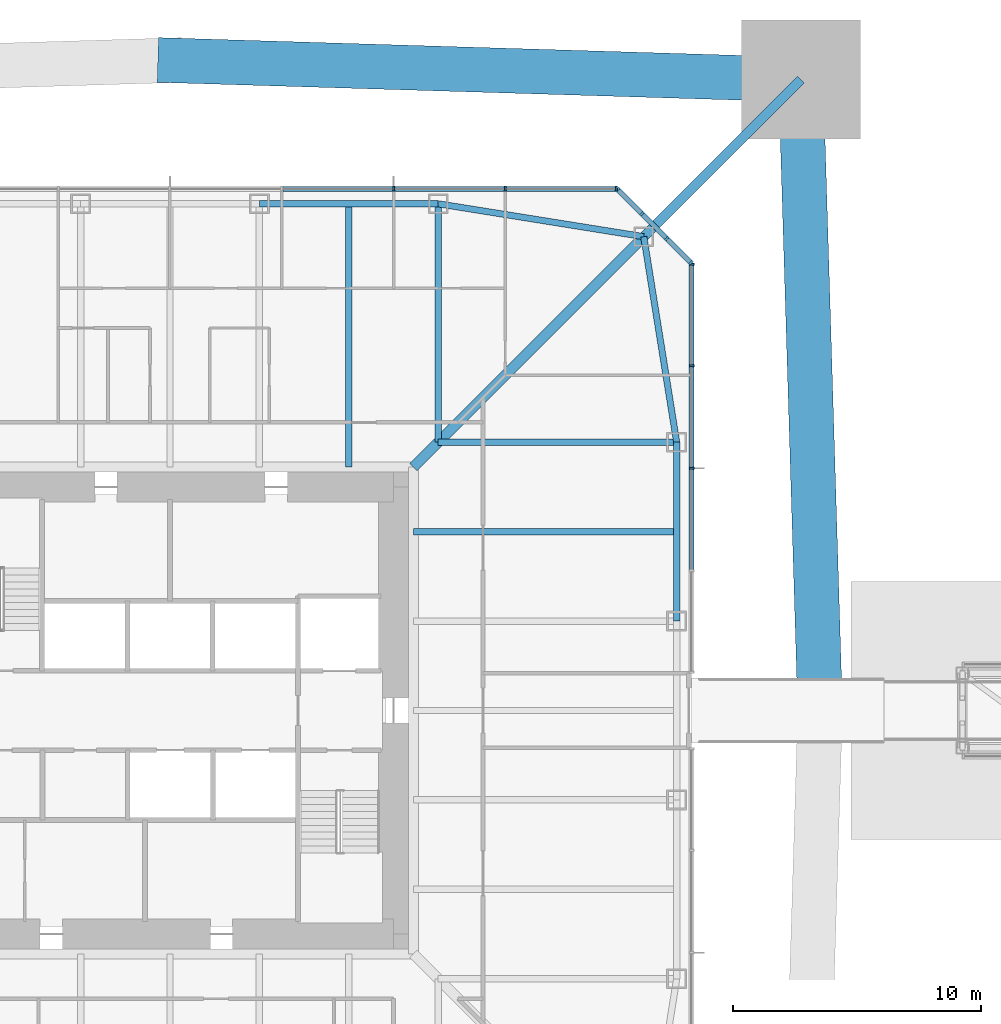
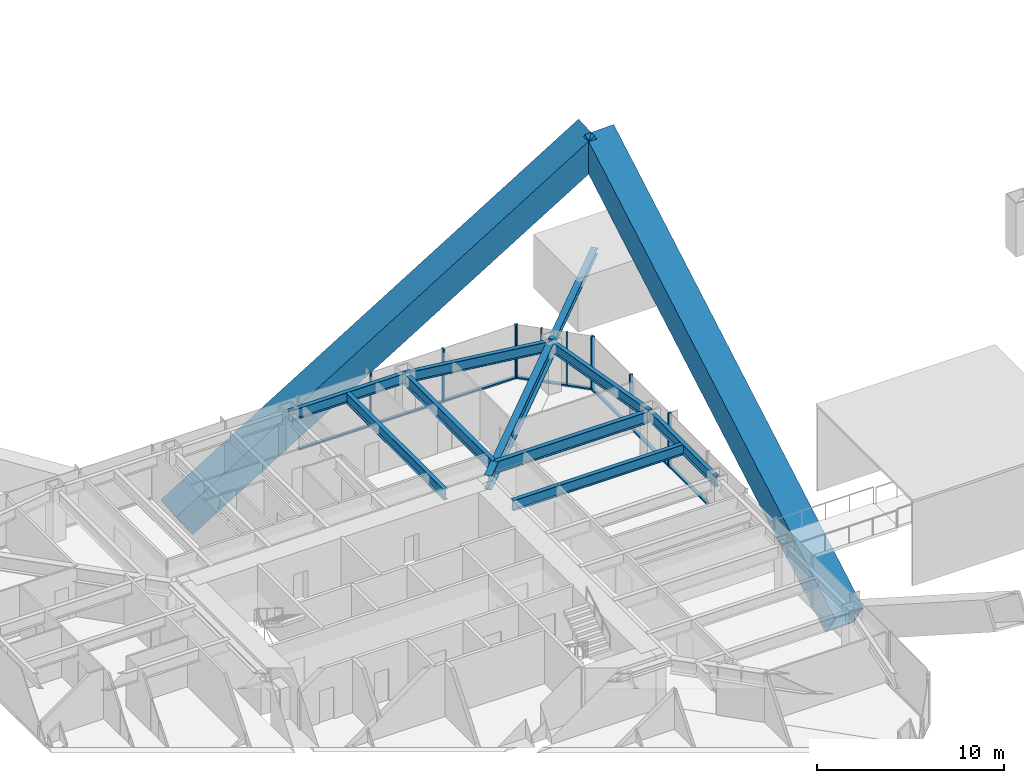
# One storey, part 9 of 28: 22 members, 9 beams, 3 elements without a shape of their own.
"""IFC4 building model written with IfcOpenShell, lengths in metres."""

from ifc_helpers import new_model, si_unit, direction, frame, origin, origin_2d, place, context, subcontext, project, spatial, rectangle, hollow_rectangle, i_section, extrude, material, material_profile, profile_set, type_object, element, aggregate, save


model = new_model("IFC4")

# Units and contexts
model_context = context("Model", 3, precision=1e-05, world=origin(), true_north=direction((0.0, 1.0)))
body_context = subcontext(model_context, "Body", "Model", "MODEL_VIEW")
ifc_project = project(units=[si_unit("LENGTHUNIT", "METRE"), si_unit("AREAUNIT", "SQUARE_METRE"), si_unit("VOLUMEUNIT", "CUBIC_METRE"), si_unit("PLANEANGLEUNIT", "RADIAN"), si_unit("MASSUNIT", "GRAM", prefix="KILO")], contexts=[model_context])

# Site, building, storey
site_placement = place(None, origin())
site = spatial("IfcSite", under=ifc_project, at=site_placement, CompositionType="ELEMENT")
building_placement = place(site_placement, origin())
building = spatial("IfcBuilding", under=site, at=building_placement, Name="Iwan Alto Co-Living Towers", CompositionType="ELEMENT")
storey_placement = place(building_placement, frame((0.0, 0.0, 98.0)))
storey = spatial("IfcBuildingStorey", under=building, at=storey_placement, Name="L26", CompositionType="ELEMENT", Elevation=98.0)

# Curtain wall, members
ifc_material_1 = material(Name="Bronze aluminium unitised frame", Category="aluminium")
curtain_wall_type_1 = type_object("IfcCurtainWallType", Name="CURTAIN WALL CW-A", PredefinedType="NOTDEFINED", material=ifc_material_1)
curtain_wall_1_placement = place(storey_placement, origin())
curtain_wall_1 = element("IfcCurtainWall", 1, at=curtain_wall_1_placement, inside=storey, type_object=curtain_wall_type_1, Name="T1 curtain wall E L26 part 2", PredefinedType="NOTDEFINED")
ifc_material_2 = material(Name="Aluminium 6063-T6 bronze anodised", Category="aluminium")
ifc_material_profile_1 = material_profile(ifc_material_2, rectangle(XDim=0.199951171875, YDim=0.080078125, at=origin_2d()), Name="AL 80X200")
ifc_profile_set_1 = profile_set([ifc_material_profile_1], Name="Aluminium 6063-T6 bronze anodised")
member_type_1 = type_object("IfcMemberType", Name="CW-A MULLION 80X200", PredefinedType="MULLION", material=ifc_profile_set_1)
member_1_placement = place(storey_placement, frame((21.0, 9.75, 0.0), z_axis=(0.0, 0.0, 1.0), x_axis=(-1.0, 0.0, 0.0)))
member_1 = element("IfcMember", 2, at=member_1_placement, type_object=member_type_1, Name="CW-A mullion 3", PredefinedType="MULLION", context=body_context, shape_type="SweptSolid", body=[
    extrude(rectangle(XDim=0.199951171875, YDim=0.080078125, at=origin_2d()), origin(), (0.0, 0.0, 1.0), 3.5),
])
member_2_placement = place(storey_placement, frame((21.0, 13.875, 0.0), z_axis=(0.0, 0.0, 1.0), x_axis=(-1.0, 0.0, 0.0)))
member_2 = element("IfcMember", 3, at=member_2_placement, type_object=member_type_1, Name="CW-A mullion 4", PredefinedType="MULLION", context=body_context, shape_type="SweptSolid", body=[
    extrude(rectangle(XDim=0.199951171875, YDim=0.080078125, at=origin_2d()), origin(), (0.0, 0.0, 1.0), 3.5),
])
member_3_placement = place(storey_placement, frame((21.0, 17.9599609375, 0.0), z_axis=(0.0, 0.0, 1.0), x_axis=(-1.0, 0.0, 0.0)))
member_3 = element("IfcMember", 4, at=member_3_placement, type_object=member_type_1, Name="CW-A mullion 5", PredefinedType="MULLION", context=body_context, shape_type="SweptSolid", body=[
    extrude(rectangle(XDim=0.199951171875, YDim=0.080078125, at=origin_2d()), origin(), (0.0, 0.0, 1.0), 3.5),
])

curtain_wall_2_placement = place(storey_placement, origin())
curtain_wall_2 = element("IfcCurtainWall", 5, at=curtain_wall_2_placement, inside=storey, type_object=curtain_wall_type_1, Name="T1 curtain wall N L26", PredefinedType="NOTDEFINED")
member_4_placement = place(storey_placement, frame((17.9599609375, 21.0, 0.0), z_axis=(0.0, 0.0, 1.0), x_axis=(0.0, -1.0, 0.0)))
member_4 = element("IfcMember", 6, at=member_4_placement, type_object=member_type_1, Name="CW-A mullion 1", PredefinedType="MULLION", context=body_context, shape_type="SweptSolid", body=[
    extrude(rectangle(XDim=0.199951171875, YDim=0.080078125, at=origin_2d()), origin(), (0.0, 0.0, 1.0), 3.5),
])
member_5_placement = place(storey_placement, frame((13.5, 21.0, 0.0), z_axis=(0.0, 0.0, 1.0), x_axis=(0.0, -1.0, 0.0)))
member_5 = element("IfcMember", 7, at=member_5_placement, type_object=member_type_1, Name="CW-A mullion 2", PredefinedType="MULLION", context=body_context, shape_type="SweptSolid", body=[
    extrude(rectangle(XDim=0.199951171875, YDim=0.080078125, at=origin_2d()), origin(), (0.0, 0.0, 1.0), 3.5),
])
member_6_placement = place(storey_placement, frame((9.0, 21.0, 0.0), z_axis=(0.0, 0.0, 1.0), x_axis=(0.0, -1.0, 0.0)))
member_6 = element("IfcMember", 8, at=member_6_placement, type_object=member_type_1, Name="CW-A mullion 3", PredefinedType="MULLION", context=body_context, shape_type="SweptSolid", body=[
    extrude(rectangle(XDim=0.199951171875, YDim=0.080078125, at=origin_2d()), origin(), (0.0, 0.0, 1.0), 3.5),
])

# Member
ifc_material_3 = material(Name="Aluminium 6063-T6 bronze anodised", Category="aluminium")
ifc_material_profile_2 = material_profile(ifc_material_3, rectangle(XDim=0.199951171875, YDim=0.10009765625, at=origin_2d()), Name="AL 200X100")
ifc_profile_set_2 = profile_set([ifc_material_profile_2], Name="Aluminium 6063-T6 bronze anodised")
member_type_2 = type_object("IfcMemberType", Name="CW-A TRANSOM 200X100", PredefinedType="USERDEFINED", material=ifc_profile_set_2)
member_7_placement = place(storey_placement, frame((21.0, 5.6650390625, 0.050048828125), z_axis=(0.0, 1.0, 0.0), x_axis=(-1.0, 0.0, 0.0)))
member_7 = element("IfcMember", 9, at=member_7_placement, type_object=member_type_2, Name="CW-A transom 2.1", ObjectType="TRANSOM", PredefinedType="USERDEFINED", context=body_context, shape_type="SweptSolid", body=[
    extrude(rectangle(XDim=0.199951171875, YDim=0.10009765625, at=origin_2d()), origin(), (0.0, 0.0, 1.0), 4.044921875),
])

member_8_placement = place(storey_placement, frame((21.0, 9.7900390625, 0.050048828125), z_axis=(0.0, 1.0, 0.0), x_axis=(-1.0, 0.0, 0.0)))
member_8 = element("IfcMember", 10, at=member_8_placement, type_object=member_type_2, Name="CW-A transom 3.1", ObjectType="TRANSOM", PredefinedType="USERDEFINED", context=body_context, shape_type="SweptSolid", body=[
    extrude(rectangle(XDim=0.199951171875, YDim=0.10009765625, at=origin_2d()), origin(), (0.0, 0.0, 1.0), 4.044921875),
])

member_9_placement = place(storey_placement, frame((21.0, 13.9150390625, 0.050048828125), z_axis=(0.0, 1.0, 0.0), x_axis=(-1.0, 0.0, 0.0)))
member_9 = element("IfcMember", 11, at=member_9_placement, type_object=member_type_2, Name="CW-A transom 4.1", ObjectType="TRANSOM", PredefinedType="USERDEFINED", context=body_context, shape_type="SweptSolid", body=[
    extrude(rectangle(XDim=0.199951171875, YDim=0.10009765625, at=origin_2d()), origin(), (0.0, 0.0, 1.0), 4.0048828125),
])

aggregate(curtain_wall_1, [member_1, member_2, member_3, member_7, member_8, member_9])

member_10_placement = place(storey_placement, frame((17.919921875, 21.0, 0.050048828125), z_axis=(-1.0, 0.0, 0.0), x_axis=(0.0, -1.0, 0.0)))
member_10 = element("IfcMember", 12, at=member_10_placement, type_object=member_type_2, Name="CW-A transom 1.1", ObjectType="TRANSOM", PredefinedType="USERDEFINED", context=body_context, shape_type="SweptSolid", body=[
    extrude(rectangle(XDim=0.199951171875, YDim=0.10009765625, at=origin_2d()), origin(), (0.0, 0.0, 1.0), 4.3798828125),
])

member_11_placement = place(storey_placement, frame((13.4599609375, 21.0, 0.050048828125), z_axis=(-1.0, 0.0, 0.0), x_axis=(0.0, -1.0, 0.0)))
member_11 = element("IfcMember", 13, at=member_11_placement, type_object=member_type_2, Name="CW-A transom 2.1", ObjectType="TRANSOM", PredefinedType="USERDEFINED", context=body_context, shape_type="SweptSolid", body=[
    extrude(rectangle(XDim=0.199951171875, YDim=0.10009765625, at=origin_2d()), origin(), (0.0, 0.0, 1.0), 4.419921875),
])

member_12_placement = place(storey_placement, frame((8.9599609375, 21.0, 0.050048828125), z_axis=(-1.0, 0.0, 0.0), x_axis=(0.0, -1.0, 0.0)))
member_12 = element("IfcMember", 14, at=member_12_placement, type_object=member_type_2, Name="CW-A transom 3.1", ObjectType="TRANSOM", PredefinedType="USERDEFINED", context=body_context, shape_type="SweptSolid", body=[
    extrude(rectangle(XDim=0.199951171875, YDim=0.10009765625, at=origin_2d()), origin(), (0.0, 0.0, 1.0), 4.419921875),
])

aggregate(curtain_wall_2, [member_4, member_5, member_6, member_10, member_11, member_12])

# Curtain wall, members
ifc_material_4 = material(Name="Bronze aluminium unitised frame", Category="aluminium")
curtain_wall_type_2 = type_object("IfcCurtainWallType", Name="CURTAIN WALL CW-B", PredefinedType="NOTDEFINED", material=ifc_material_4)
curtain_wall_3_placement = place(storey_placement, origin())
curtain_wall_3 = element("IfcCurtainWall", 15, at=curtain_wall_3_placement, inside=storey, type_object=curtain_wall_type_2, Name="T1 chamfer curtain wall NE L26", PredefinedType="NOTDEFINED")
ifc_material_5 = material(Name="Aluminium 6063-T6 bronze anodised", Category="aluminium")
ifc_material_profile_3 = material_profile(ifc_material_5, rectangle(XDim=0.199951171875, YDim=0.080078125, at=origin_2d()), Name="AL 80X200")
ifc_profile_set_3 = profile_set([ifc_material_profile_3], Name="Aluminium 6063-T6 bronze anodised")
member_type_3 = type_object("IfcMemberType", Name="CW-B MULLION 80X200", PredefinedType="MULLION", material=ifc_profile_set_3)
member_13_placement = place(storey_placement, frame((20.9716796875, 18.0283203125, 0.0), z_axis=(0.0, 0.0, 1.0), x_axis=(-0.707106781187, -0.707106781187, 0.0)))
member_13 = element("IfcMember", 16, at=member_13_placement, type_object=member_type_3, Name="CW-B mullion 1", PredefinedType="MULLION", context=body_context, shape_type="SweptSolid", body=[
    extrude(rectangle(XDim=0.199951171875, YDim=0.080078125, at=origin_2d()), origin(), (0.0, 0.0, 1.0), 3.5),
])
member_14_placement = place(storey_placement, frame((20.0, 19.0, 0.0), z_axis=(0.0, 0.0, 1.0), x_axis=(-0.707106781187, -0.707106781187, 0.0)))
member_14 = element("IfcMember", 17, at=member_14_placement, type_object=member_type_3, Name="CW-B mullion 2", PredefinedType="MULLION", context=body_context, shape_type="SweptSolid", body=[
    extrude(rectangle(XDim=0.199951171875, YDim=0.080078125, at=origin_2d()), origin(), (0.0, 0.0, 1.0), 3.5),
])
member_15_placement = place(storey_placement, frame((19.0, 20.0, 0.0), z_axis=(0.0, 0.0, 1.0), x_axis=(-0.707106781187, -0.707106781187, 0.0)))
member_15 = element("IfcMember", 18, at=member_15_placement, type_object=member_type_3, Name="CW-B mullion 3", PredefinedType="MULLION", context=body_context, shape_type="SweptSolid", body=[
    extrude(rectangle(XDim=0.199951171875, YDim=0.080078125, at=origin_2d()), origin(), (0.0, 0.0, 1.0), 3.5),
])
member_16_placement = place(storey_placement, frame((18.0283203125, 20.9716796875, 0.0), z_axis=(0.0, 0.0, 1.0), x_axis=(-0.707106781187, -0.707106781187, 0.0)))
member_16 = element("IfcMember", 19, at=member_16_placement, type_object=member_type_3, Name="CW-B mullion 4", PredefinedType="MULLION", context=body_context, shape_type="SweptSolid", body=[
    extrude(rectangle(XDim=0.199951171875, YDim=0.080078125, at=origin_2d()), origin(), (0.0, 0.0, 1.0), 3.5),
])
ifc_material_6 = material(Name="Aluminium 6063-T6 bronze anodised", Category="aluminium")
ifc_material_profile_4 = material_profile(ifc_material_6, rectangle(XDim=0.199951171875, YDim=0.10009765625, at=origin_2d()), Name="AL 200X100")
ifc_profile_set_4 = profile_set([ifc_material_profile_4], Name="Aluminium 6063-T6 bronze anodised")
member_type_4 = type_object("IfcMemberType", Name="CW-B TRANSOM 200X100", PredefinedType="USERDEFINED", material=ifc_profile_set_4)
member_17_placement = place(storey_placement, frame((20.943359375, 18.056640625, 0.050048828125), z_axis=(-0.707106781187, 0.707106781187, 0.0), x_axis=(-0.707106781187, -0.707106781187, 0.0)))
member_17 = element("IfcMember", 20, at=member_17_placement, type_object=member_type_4, Name="CW-B transom 1.1", ObjectType="TRANSOM", PredefinedType="USERDEFINED", context=body_context, shape_type="SweptSolid", body=[
    extrude(rectangle(XDim=0.199951171875, YDim=0.10009765625, at=origin_2d()), origin(), (0.0, 0.0, 1.0), 1.2939453125),
])
member_18_placement = place(storey_placement, frame((19.9716796875, 19.0283203125, 0.050048828125), z_axis=(-0.707106781187, 0.707106781187, 0.0), x_axis=(-0.707106781187, -0.707106781187, 0.0)))
member_18 = element("IfcMember", 21, at=member_18_placement, type_object=member_type_4, Name="CW-B transom 2.1", ObjectType="TRANSOM", PredefinedType="USERDEFINED", context=body_context, shape_type="SweptSolid", body=[
    extrude(rectangle(XDim=0.199951171875, YDim=0.10009765625, at=origin_2d()), origin(), (0.0, 0.0, 1.0), 1.334228515625),
])
member_19_placement = place(storey_placement, frame((18.9716796875, 20.0283203125, 0.050048828125), z_axis=(-0.707106781187, 0.707106781187, 0.0), x_axis=(-0.707106781187, -0.707106781187, 0.0)))
member_19 = element("IfcMember", 22, at=member_19_placement, type_object=member_type_4, Name="CW-B transom 3.1", ObjectType="TRANSOM", PredefinedType="USERDEFINED", context=body_context, shape_type="SweptSolid", body=[
    extrude(rectangle(XDim=0.199951171875, YDim=0.10009765625, at=origin_2d()), origin(), (0.0, 0.0, 1.0), 1.2939453125),
])
aggregate(curtain_wall_3, [member_13, member_14, member_15, member_16, member_17, member_18, member_19])

# Beams
ifc_material_7 = material(Name="Steel ASTM A992 Gr 50", Category="steel")
ifc_material_profile_5 = material_profile(ifc_material_7, i_section(OverallWidth=0.419189453125, OverallDepth=0.927001953125, WebThickness=0.019287109375, FlangeThickness=0.031982421875, at=origin_2d()), Name="W36X231")
ifc_profile_set_5 = profile_set([ifc_material_profile_5], Name="Steel ASTM A992 Gr 50")
beam_type_1 = type_object("IfcBeamType", Name="T1 CORNER GIRDER W36X231", PredefinedType="BEAM", material=ifc_profile_set_5)
beam_1_placement = place(storey_placement, frame((19.07568359375, 19.07568359375, 2.806396484375), z_axis=(-0.707106781187, -0.707106781187, 0.0), x_axis=(0.707106781187, -0.707106781187, 0.0)))
element("IfcBeam", 23, at=beam_1_placement, inside=storey, type_object=beam_type_1, Name="T1 corner girder CNE L27", PredefinedType="BEAM", context=body_context, shape_type="SweptSolid", body=[
    extrude(i_section(OverallWidth=0.419189453125, OverallDepth=0.927001953125, WebThickness=0.019287109375, FlangeThickness=0.031982421875, at=origin_2d()), origin(), (0.0, 0.0, 1.0), 13.11865234375),
])
ifc_material_8 = material(Name="Steel ASTM A992 Gr 50", Category="steel")
ifc_material_profile_6 = material_profile(ifc_material_8, i_section(OverallWidth=0.25390625, OverallDepth=0.683349609375, WebThickness=0.012451171875, FlangeThickness=0.018798828125, at=origin_2d()), Name="W27X94")
ifc_profile_set_6 = profile_set([ifc_material_profile_6], Name="Steel ASTM A992 Gr 50")
beam_type_2 = type_object("IfcBeamType", Name="T1 EDGE BEAM W27X94", PredefinedType="BEAM", material=ifc_profile_set_6)
beam_2_placement = place(storey_placement, frame((20.39990234375, 3.60009765625, 2.928466796875), z_axis=(0.0, 1.0, 0.0), x_axis=(-1.0, 0.0, 0.0)))
element("IfcBeam", 24, at=beam_2_placement, inside=storey, type_object=beam_type_2, Name="T1 edge beam E3 L27", PredefinedType="BEAM", context=body_context, shape_type="SweptSolid", body=[
    extrude(i_section(OverallWidth=0.25390625, OverallDepth=0.683349609375, WebThickness=0.012451171875, FlangeThickness=0.018798828125, at=origin_2d()), origin(), (0.0, 0.0, 1.0), 7.199951171875),
])
for number, where, z_axis, x_axis, name in (
    (25, (20.39990234375, 10.800048828125, 2.928466796875), (-0.158004134737, 0.987438450439, 0.0), (-0.987438450439, -0.158004134737, 0.0), "T1 edge beam E4 L27"),
    (26, (19.07568359375, 19.07568359375, 2.928466796875), (-0.987438450439, 0.158004134737, 0.0), (-0.158004134737, -0.987438450439, 0.0), "T1 edge beam CNE L27"),
):
    element("IfcBeam", number, at=place(storey_placement, frame(where, z_axis=z_axis, x_axis=x_axis)), inside=storey, type_object=beam_type_2, Name=name, PredefinedType="BEAM", context=body_context, shape_type="SweptSolid", body=[
        extrude(i_section(OverallWidth=0.25390625, OverallDepth=0.683349609375, WebThickness=0.012451171875, FlangeThickness=0.018798828125, at=origin_2d()), origin(), (0.0, 0.0, 1.0), 8.380859375),
    ])
beam_3_placement = place(storey_placement, frame((10.800048828125, 20.39990234375, 2.928466796875), z_axis=(-1.0, 0.0, 0.0), x_axis=(0.0, -1.0, 0.0)))
element("IfcBeam", 27, at=beam_3_placement, inside=storey, type_object=beam_type_2, Name="T1 edge beam N1 L27", PredefinedType="BEAM", context=body_context, shape_type="SweptSolid", body=[
    extrude(i_section(OverallWidth=0.25390625, OverallDepth=0.683349609375, WebThickness=0.012451171875, FlangeThickness=0.018798828125, at=origin_2d()), origin(), (0.0, 0.0, 1.0), 7.199951171875),
])

# Members
ifc_material_9 = material(Name="Steel ASTM A572 Gr 42", Category="steel")
ifc_material_profile_7 = material_profile(ifc_material_9, hollow_rectangle(XDim=1.800048828125, YDim=1.800048828125, WallThickness=0.1298828125, at=origin_2d()), Name="BOX 1800X1800X130")
ifc_profile_set_7 = profile_set([ifc_material_profile_7], Name="Steel ASTM A572 Gr 42")
member_type_5 = type_object("IfcMemberType", Name="T1 MEGA BRACE BOX 1800X1800X130", PredefinedType="BRACE", material=ifc_profile_set_7)
for number, where, z_axis, x_axis, name in (
    (28, (26.175537109375, 0.0, -5.98095703125), (-0.025608430733, 0.838605576524, 0.544136835087), (-0.999534074116, -0.030522691262, 0.0), "T1 mega brace Z2A E 1 upper"),
    (29, (0.0, 26.175537109375, -5.98095703125), (0.838605576524, -0.025608430733, 0.544136835087), (0.030522691262, 0.999534074116, 0.0), "T1 mega brace Z2A N 2 upper"),
):
    element("IfcMember", number, at=place(storey_placement, frame(where, z_axis=z_axis, x_axis=x_axis)), inside=storey, type_object=member_type_5, Name=name, PredefinedType="BRACE", context=body_context, shape_type="SweptSolid", body=[
        extrude(hollow_rectangle(XDim=1.800048828125, YDim=1.800048828125, WallThickness=0.1298828125, at=origin_2d()), origin(), (0.0, 0.0, 1.0), 30.288330078125),
    ])
ifc_material_10 = material(Name="Steel ASTM A992 Gr 50", Category="steel")
ifc_material_profile_8 = material_profile(ifc_material_10, i_section(OverallWidth=0.393798828125, OverallDepth=0.3759765625, WebThickness=0.017333984375, FlangeThickness=0.027587890625, at=origin_2d()), Name="W14X145")
ifc_profile_set_8 = profile_set([ifc_material_profile_8], Name="Steel ASTM A992 Gr 50")
member_type_6 = type_object("IfcMemberType", Name="T1 MEGA COLUMN FLOOR TIE W14X145", PredefinedType="STRUT", material=ifc_profile_set_8)
member_20_placement = place(storey_placement, frame((25.39990234375, 25.39990234375, 3.08203125), z_axis=(-0.707106781187, -0.707106781187, 0.0), x_axis=(0.707106781187, -0.707106781187, 0.0)))
element("IfcMember", 30, at=member_20_placement, inside=storey, type_object=member_type_6, Name="T1 mega column floor tie NE L27", PredefinedType="STRUT", context=body_context, shape_type="SweptSolid", body=[
    extrude(i_section(OverallWidth=0.393798828125, OverallDepth=0.3759765625, WebThickness=0.017333984375, FlangeThickness=0.027587890625, at=origin_2d()), origin(), (0.0, 0.0, 1.0), 8.94384765625),
])

# Beams
ifc_material_11 = material(Name="Steel ASTM A992 Gr 50", Category="steel")
ifc_material_profile_9 = material_profile(ifc_material_11, i_section(OverallWidth=0.2666015625, OverallDepth=0.761962890625, WebThickness=0.014404296875, FlangeThickness=0.021484375, at=origin_2d()), Name="W30X116")
ifc_profile_set_9 = profile_set([ifc_material_profile_9], Name="Steel ASTM A992 Gr 50")
beam_type_3 = type_object("IfcBeamType", Name="T1 RADIAL BEAM W30X116", PredefinedType="BEAM", material=ifc_profile_set_9)
for number, where, z_axis, x_axis, name in (
    (31, (20.39990234375, 10.800048828125, 2.888916015625), (-1.0, 0.0, 0.0), (0.0, -1.0, 0.0), "T1 radial beam E4 L27"),
    (32, (10.800048828125, 20.39990234375, 2.888916015625), (0.0, -1.0, 0.0), (1.0, 0.0, 0.0), "T1 radial beam N1 L27"),
):
    element("IfcBeam", number, at=place(storey_placement, frame(where, z_axis=z_axis, x_axis=x_axis)), inside=storey, type_object=beam_type_3, Name=name, PredefinedType="BEAM", context=body_context, shape_type="SweptSolid", body=[
        extrude(i_section(OverallWidth=0.2666015625, OverallDepth=0.761962890625, WebThickness=0.014404296875, FlangeThickness=0.021484375, at=origin_2d()), origin(), (0.0, 0.0, 1.0), 9.599853515625),
    ])
ifc_material_12 = material(Name="Steel ASTM A992 Gr 50", Category="steel")
ifc_material_profile_10 = material_profile(ifc_material_12, i_section(OverallWidth=0.25390625, OverallDepth=0.683349609375, WebThickness=0.012451171875, FlangeThickness=0.018798828125, at=origin_2d()), Name="W27X94")
ifc_profile_set_10 = profile_set([ifc_material_profile_10], Name="Steel ASTM A992 Gr 50")
beam_type_4 = type_object("IfcBeamType", Name="T1 SECONDARY BEAM W27X94", PredefinedType="JOIST", material=ifc_profile_set_10)
for number, where, z_axis, x_axis, name in (
    (33, (20.39990234375, 7.199951171875, 2.928466796875), (-1.0, 0.0, 0.0), (0.0, -1.0, 0.0), "T1 secondary beam E3 L27"),
    (34, (7.199951171875, 20.39990234375, 2.928466796875), (0.0, -1.0, 0.0), (1.0, 0.0, 0.0), "T1 secondary beam N1 L27"),
):
    element("IfcBeam", number, at=place(storey_placement, frame(where, z_axis=z_axis, x_axis=x_axis)), inside=storey, type_object=beam_type_4, Name=name, PredefinedType="JOIST", context=body_context, shape_type="SweptSolid", body=[
        extrude(i_section(OverallWidth=0.25390625, OverallDepth=0.683349609375, WebThickness=0.012451171875, FlangeThickness=0.018798828125, at=origin_2d()), origin(), (0.0, 0.0, 1.0), 10.6005859375),
    ])

save(model, "model.ifc")
